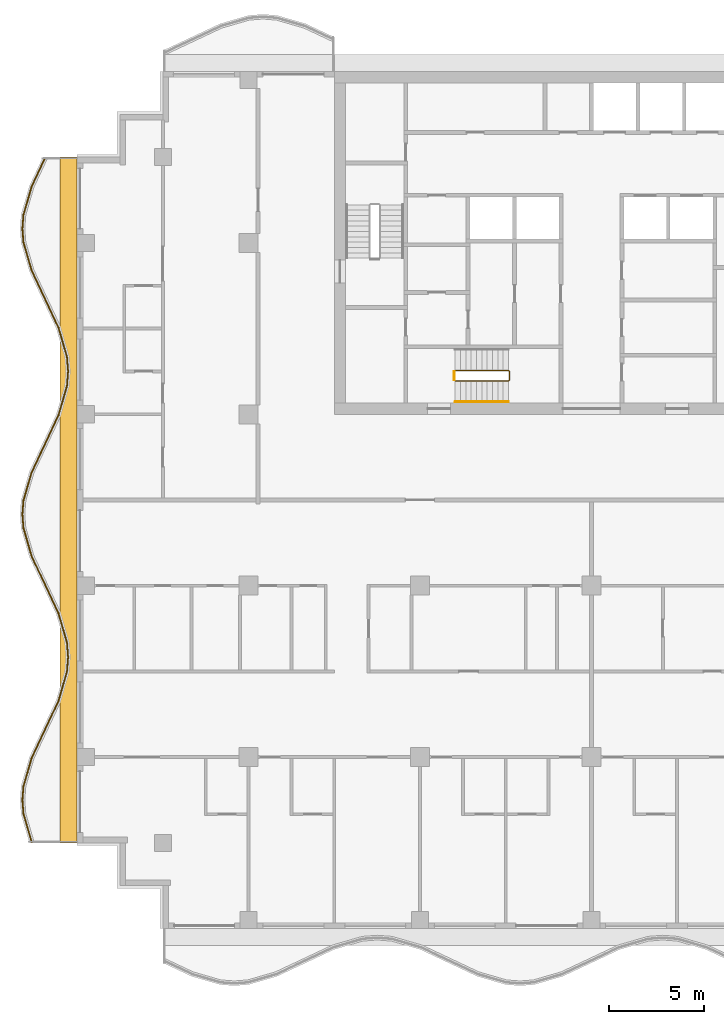
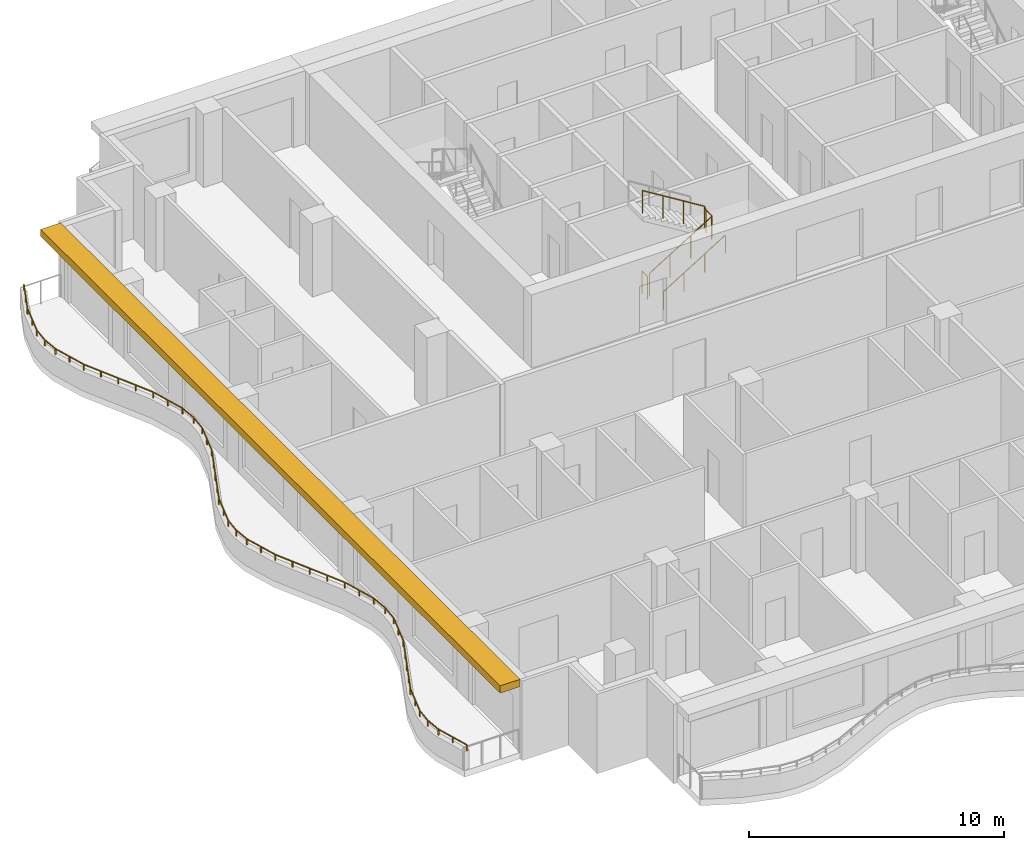
# One storey, part 9 of 11: 4 railings, 1 shading device.
"""IFC4 building model written with IfcOpenShell, lengths in metres."""

from ifc_helpers import new_model, si_unit, direction, frame, origin, origin_2d, place, context, subcontext, project, spatial, polyline, rectangle, circle, outline, extrude, material, layer, layer_set, type_object, element, save


model = new_model("IFC4")

# Units and contexts
model_context = context("Model", 3, precision=1e-05, world=origin(), true_north=direction((0.0, 1.0)))
body_context = subcontext(model_context, "Body", "Model", "MODEL_VIEW")
ifc_project = project(units=[si_unit("LENGTHUNIT", "METRE"), si_unit("AREAUNIT", "SQUARE_METRE"), si_unit("VOLUMEUNIT", "CUBIC_METRE"), si_unit("PLANEANGLEUNIT", "RADIAN"), si_unit("MASSUNIT", "GRAM", prefix="KILO")], contexts=[model_context])

# Site, building, storey
site_placement = place(None, origin())
site = spatial("IfcSite", under=ifc_project, at=site_placement, CompositionType="ELEMENT")
building_placement = place(site_placement, origin())
building = spatial("IfcBuilding", under=site, at=building_placement, Name="Orbiselva Terraces", CompositionType="ELEMENT")
storey_placement = place(building_placement, frame((0.0, 0.0, 242.6)))
storey = spatial("IfcBuildingStorey", under=building, at=storey_placement, Name="L61", CompositionType="ELEMENT", Elevation=242.6)

# Railings
ifc_material_1 = material(Name="Stainless steel", Category="steel")
railing_type_1 = type_object("IfcRailingType", Name="CORE-GUARD-1100", PredefinedType="GUARDRAIL", material=ifc_material_1)
railing_1_placement = place(storey_placement, frame((-7.15, 6.25, 0.172727)))
element("IfcRailing", 1, at=railing_1_placement, inside=storey, type_object=railing_type_1, Name="L61 S3 stair guard 1", PredefinedType="GUARDRAIL", context=body_context, shape_type="SweptSolid", body=[
    extrude(circle(Radius=0.024, at=origin_2d()), frame((0.0, 0.0, 1.081), z_axis=(0.851088519012, 0.0, 0.52502222125), x_axis=(0.0, 1.0, 0.0)), (0.0, 0.0, 1.0), 3.289905),
    extrude(circle(Radius=0.024, at=origin_2d()), frame((2.8, 0.0, 2.808273), z_axis=(0.707106781187, 0.707106781187, 0.0), x_axis=(-0.707106781187, 0.707106781187, 0.0)), (0.0, 0.0, 1.0), 0.070711),
    extrude(circle(Radius=0.024, at=origin_2d()), frame((2.85, 0.05, 2.808273), z_axis=(0.0, 1.0, 0.0), x_axis=(-1.0, 0.0, 0.0)), (0.0, 0.0, 1.0), 0.45),
    extrude(circle(Radius=0.024, at=origin_2d()), frame((2.85, 0.5, 2.808273), z_axis=(-0.267894925557, 0.267894925557, 0.925453736133), x_axis=(-0.707106781187, -0.707106781187, 0.0)), (0.0, 0.0, 1.0), 0.18664),
    extrude(circle(Radius=0.024, at=origin_2d()), frame((2.8, 0.55, 2.981), z_axis=(-0.851088519012, 0.0, 0.52502222125), x_axis=(0.0, -1.0, 0.0)), (0.0, 0.0, 1.0), 3.289905),
    extrude(circle(Radius=0.021, at=origin_2d()), origin(), (0.0, 0.0, 1.0), 1.057),
    extrude(circle(Radius=0.021, at=origin_2d()), frame((0.933333, 0.0, 0.575758)), (0.0, 0.0, 1.0), 1.057),
    extrude(circle(Radius=0.021, at=origin_2d()), frame((1.866667, 0.0, 1.151515)), (0.0, 0.0, 1.0), 1.057),
    extrude(circle(Radius=0.021, at=origin_2d()), frame((2.8, 0.0, 1.727273)), (0.0, 0.0, 1.0), 1.057),
    extrude(circle(Radius=0.021, at=origin_2d()), frame((2.85, 0.05, 1.727273)), (0.0, 0.0, 1.0), 1.057),
    extrude(circle(Radius=0.021, at=origin_2d()), frame((2.85, 0.5, 1.727273)), (0.0, 0.0, 1.0), 1.057),
    extrude(circle(Radius=0.021, at=origin_2d()), frame((2.8, 0.55, 1.9)), (0.0, 0.0, 1.0), 1.057),
    extrude(circle(Radius=0.021, at=origin_2d()), frame((1.866667, 0.55, 2.475758)), (0.0, 0.0, 1.0), 1.057),
    extrude(circle(Radius=0.021, at=origin_2d()), frame((0.933333, 0.55, 3.051515)), (0.0, 0.0, 1.0), 1.057),
    extrude(circle(Radius=0.021, at=origin_2d()), frame((0.0, 0.55, 3.627273)), (0.0, 0.0, 1.0), 1.057),
])
railing_2_placement = place(storey_placement, frame((-7.2, 6.3, 0.0)))
element("IfcRailing", 2, at=railing_2_placement, inside=storey, type_object=railing_type_1, Name="L61 S3 stair guard 2", PredefinedType="GUARDRAIL", context=body_context, shape_type="SweptSolid", body=[
    extrude(circle(Radius=0.024, at=origin_2d()), frame((0.0, 0.0, 1.081), z_axis=(0.0, 1.0, 0.0), x_axis=(-1.0, 0.0, 0.0)), (0.0, 0.0, 1.0), 0.45),
    extrude(circle(Radius=0.021, at=origin_2d()), origin(), (0.0, 0.0, 1.0), 1.057),
    extrude(circle(Radius=0.021, at=origin_2d()), frame((0.0, 0.45, 0.0)), (0.0, 0.0, 1.0), 1.057),
])
railing_type_2 = type_object("IfcRailingType", Name="CORE-HANDRAIL-900", PredefinedType="HANDRAIL", material=ifc_material_1)
railing_3_placement = place(storey_placement, frame((-7.15, 5.15, 0.172727)))
element("IfcRailing", 3, at=railing_3_placement, inside=storey, type_object=railing_type_2, Name="L61 S3 stair handrail 1", PredefinedType="HANDRAIL", context=body_context, shape_type="SweptSolid", body=[
    extrude(circle(Radius=0.024, at=origin_2d()), frame((0.0, 0.0, 0.876), z_axis=(0.851088519012, 0.0, 0.52502222125), x_axis=(0.0, 1.0, 0.0)), (0.0, 0.0, 1.0), 3.289905),
    extrude(circle(Radius=0.021, at=origin_2d()), origin(), (0.0, 0.0, 1.0), 0.852),
    extrude(circle(Radius=0.021, at=origin_2d()), frame((0.933333, 0.0, 0.575758)), (0.0, 0.0, 1.0), 0.852),
    extrude(circle(Radius=0.021, at=origin_2d()), frame((1.866667, 0.0, 1.151515)), (0.0, 0.0, 1.0), 0.852),
    extrude(circle(Radius=0.021, at=origin_2d()), frame((2.8, 0.0, 1.727273)), (0.0, 0.0, 1.0), 0.852),
])
ifc_material_2 = material(Name="Bonded two-ply safety glass balustrade, stainless steel posts", Category="steel")
railing_type_3 = type_object("IfcRailingType", Name="ENV-BALUSTRADE-1200", PredefinedType="BALUSTRADE", material=ifc_material_2)
railing_4_placement = place(storey_placement, frame((-28.686882, 17.946809, 0.9)))
element("IfcRailing", 4, at=railing_4_placement, inside=storey, type_object=railing_type_3, Name="Balcony balustrade L61 W", PredefinedType="BALUSTRADE", context=body_context, shape_type="SweptSolid", body=[
    extrude(outline(polyline([(0.028868, 0.0), (0.014434, 0.025), (-0.014434, 0.025), (-0.028868, 0.0), (-0.014434, -0.025), (0.014434, -0.025), (0.028868, 0.0)])), frame((0.0, 0.0, 0.275), z_axis=(-0.425529912322, -0.904944359461, 0.0), x_axis=(0.904944359461, -0.425529912322, 0.0)), (0.0, 0.0, 1.0), 1.647746),
    extrude(outline(polyline([(0.028868, 0.0), (0.014434, 0.025), (-0.014434, 0.025), (-0.028868, 0.0), (-0.014434, -0.025), (0.014434, -0.025), (0.028868, 0.0)])), frame((-0.701165, -1.491118, 0.275), z_axis=(-0.279071528957, -0.960270317007, 0.0), x_axis=(0.960270317007, -0.279071528957, 0.0)), (0.0, 0.0, 1.0), 1.539408),
    extrude(outline(polyline([(0.028868, 0.0), (0.014434, 0.025), (-0.014434, 0.025), (-0.028868, 0.0), (-0.014434, -0.025), (0.014434, -0.025), (0.028868, 0.0)])), frame((-1.13077, -2.969366, 0.275), z_axis=(-0.078069536776, -0.996947916106, 0.0), x_axis=(0.996947916106, -0.078069536776, 0.0)), (0.0, 0.0, 1.0), 0.72967),
    extrude(outline(polyline([(0.028868, 0.0), (0.014434, 0.025), (-0.014434, 0.025), (-0.028868, 0.0), (-0.014434, -0.025), (0.014434, -0.025), (0.028868, 0.0)])), frame((-1.187735, -3.696809, 0.275), z_axis=(0.078069536776, -0.996947916106, 0.0), x_axis=(0.996947916106, 0.078069536776, 0.0)), (0.0, 0.0, 1.0), 0.72967),
    extrude(outline(polyline([(0.028868, 0.0), (0.014434, 0.025), (-0.014434, 0.025), (-0.028868, 0.0), (-0.014434, -0.025), (0.014434, -0.025), (0.028868, 0.0)])), frame((-1.13077, -4.424252, 0.275), z_axis=(0.279071528957, -0.960270317007, 0.0), x_axis=(0.960270317007, 0.279071528957, 0.0)), (0.0, 0.0, 1.0), 1.539408),
    extrude(outline(polyline([(0.028868, 0.0), (0.014434, 0.025), (-0.014434, 0.025), (-0.028868, 0.0), (-0.014434, -0.025), (0.014434, -0.025), (0.028868, 0.0)])), frame((-0.701165, -5.9025, 0.275), z_axis=(0.425529912322, -0.904944359461, 0.0), x_axis=(0.904944359461, 0.425529912322, 0.0)), (0.0, 0.0, 1.0), 1.647746),
    extrude(outline(polyline([(0.028868, 0.0), (0.014434, 0.025), (-0.014434, 0.025), (-0.028868, 0.0), (-0.014434, -0.025), (0.014434, -0.025), (0.028868, 0.0)])), frame((0.0, -7.393618, 0.275), z_axis=(0.425530342069, -0.904944157382, 0.0), x_axis=(0.904944157382, 0.425530342069, 0.0)), (0.0, 0.0, 1.0), 1.667376),
    extrude(outline(polyline([(0.028868, 0.0), (0.014434, 0.025), (-0.014434, 0.025), (-0.028868, 0.0), (-0.014434, -0.025), (0.014434, -0.025), (0.028868, 0.0)])), frame((0.709519, -8.9025, 0.275), z_axis=(0.279070928786, -0.960270491427, 0.0), x_axis=(0.960270491427, 0.279070928786, 0.0)), (0.0, 0.0, 1.0), 1.584712),
    extrude(outline(polyline([(0.028868, 0.0), (0.014434, 0.025), (-0.014434, 0.025), (-0.028868, 0.0), (-0.014434, -0.025), (0.014434, -0.025), (0.028868, 0.0)])), frame((1.151766, -10.424252, 0.275), z_axis=(0.078071061106, -0.996947796737, 0.0), x_axis=(0.996947796737, 0.078071061106, 0.0)), (0.0, 0.0, 1.0), 0.774922),
    extrude(outline(polyline([(0.028868, 0.0), (0.014434, 0.025), (-0.014434, 0.025), (-0.028868, 0.0), (-0.014434, -0.025), (0.014434, -0.025), (0.028868, 0.0)])), frame((1.212265, -11.196809, 0.275), z_axis=(-0.078071061106, -0.996947796737, 0.0), x_axis=(0.996947796737, -0.078071061106, 0.0)), (0.0, 0.0, 1.0), 0.774922),
    extrude(outline(polyline([(0.028868, 0.0), (0.014434, 0.025), (-0.014434, 0.025), (-0.028868, 0.0), (-0.014434, -0.025), (0.014434, -0.025), (0.028868, 0.0)])), frame((1.151766, -11.969366, 0.275), z_axis=(-0.279070928786, -0.960270491427, 0.0), x_axis=(0.960270491427, -0.279070928786, 0.0)), (0.0, 0.0, 1.0), 1.584712),
    extrude(outline(polyline([(0.028868, 0.0), (0.014434, 0.025), (-0.014434, 0.025), (-0.028868, 0.0), (-0.014434, -0.025), (0.014434, -0.025), (0.028868, 0.0)])), frame((0.709519, -13.491118, 0.275), z_axis=(-0.425530342069, -0.904944157382, 0.0), x_axis=(0.904944157382, -0.425530342069, 0.0)), (0.0, 0.0, 1.0), 1.667376),
    extrude(outline(polyline([(0.028868, 0.0), (0.014434, 0.025), (-0.014434, 0.025), (-0.028868, 0.0), (-0.014434, -0.025), (0.014434, -0.025), (0.028868, 0.0)])), frame((0.0, -15.0, 0.275), z_axis=(-0.425529912322, -0.904944359461, 0.0), x_axis=(0.904944359461, -0.425529912322, 0.0)), (0.0, 0.0, 1.0), 1.647746),
    extrude(outline(polyline([(0.028868, 0.0), (0.014434, 0.025), (-0.014434, 0.025), (-0.028868, 0.0), (-0.014434, -0.025), (0.014434, -0.025), (0.028868, 0.0)])), frame((-0.701165, -16.491118, 0.275), z_axis=(-0.279071528957, -0.960270317007, 0.0), x_axis=(0.960270317007, -0.279071528957, 0.0)), (0.0, 0.0, 1.0), 1.539408),
    extrude(outline(polyline([(0.028868, 0.0), (0.014434, 0.025), (-0.014434, 0.025), (-0.028868, 0.0), (-0.014434, -0.025), (0.014434, -0.025), (0.028868, 0.0)])), frame((-1.13077, -17.969366, 0.275), z_axis=(-0.078069536776, -0.996947916106, 0.0), x_axis=(0.996947916106, -0.078069536776, 0.0)), (0.0, 0.0, 1.0), 0.72967),
    extrude(outline(polyline([(0.028868, 0.0), (0.014434, 0.025), (-0.014434, 0.025), (-0.028868, 0.0), (-0.014434, -0.025), (0.014434, -0.025), (0.028868, 0.0)])), frame((-1.187735, -18.696809, 0.275), z_axis=(0.078069536776, -0.996947916106, 0.0), x_axis=(0.996947916106, 0.078069536776, 0.0)), (0.0, 0.0, 1.0), 0.72967),
    extrude(outline(polyline([(0.028868, 0.0), (0.014434, 0.025), (-0.014434, 0.025), (-0.028868, 0.0), (-0.014434, -0.025), (0.014434, -0.025), (0.028868, 0.0)])), frame((-1.13077, -19.424252, 0.275), z_axis=(0.279071528957, -0.960270317007, 0.0), x_axis=(0.960270317007, 0.279071528957, 0.0)), (0.0, 0.0, 1.0), 1.539408),
    extrude(outline(polyline([(0.028868, 0.0), (0.014434, 0.025), (-0.014434, 0.025), (-0.028868, 0.0), (-0.014434, -0.025), (0.014434, -0.025), (0.028868, 0.0)])), frame((-0.701165, -20.9025, 0.275), z_axis=(0.425529912322, -0.904944359461, 0.0), x_axis=(0.904944359461, 0.425529912322, 0.0)), (0.0, 0.0, 1.0), 1.647746),
    extrude(outline(polyline([(0.028868, 0.0), (0.014434, 0.025), (-0.014434, 0.025), (-0.028868, 0.0), (-0.014434, -0.025), (0.014434, -0.025), (0.028868, 0.0)])), frame((0.0, -22.393618, 0.275), z_axis=(0.425530342069, -0.904944157382, 0.0), x_axis=(0.904944157382, 0.425530342069, 0.0)), (0.0, 0.0, 1.0), 1.667376),
    extrude(outline(polyline([(0.028868, 0.0), (0.014434, 0.025), (-0.014434, 0.025), (-0.028868, 0.0), (-0.014434, -0.025), (0.014434, -0.025), (0.028868, 0.0)])), frame((0.709519, -23.9025, 0.275), z_axis=(0.279070928786, -0.960270491427, 0.0), x_axis=(0.960270491427, 0.279070928786, 0.0)), (0.0, 0.0, 1.0), 1.584712),
    extrude(outline(polyline([(0.028868, 0.0), (0.014434, 0.025), (-0.014434, 0.025), (-0.028868, 0.0), (-0.014434, -0.025), (0.014434, -0.025), (0.028868, 0.0)])), frame((1.151766, -25.424252, 0.275), z_axis=(0.078071061106, -0.996947796737, 0.0), x_axis=(0.996947796737, 0.078071061106, 0.0)), (0.0, 0.0, 1.0), 0.774922),
    extrude(outline(polyline([(0.028868, 0.0), (0.014434, 0.025), (-0.014434, 0.025), (-0.028868, 0.0), (-0.014434, -0.025), (0.014434, -0.025), (0.028868, 0.0)])), frame((1.212265, -26.196809, 0.275), z_axis=(-0.078071061106, -0.996947796737, 0.0), x_axis=(0.996947796737, -0.078071061106, 0.0)), (0.0, 0.0, 1.0), 0.774922),
    extrude(outline(polyline([(0.028868, 0.0), (0.014434, 0.025), (-0.014434, 0.025), (-0.028868, 0.0), (-0.014434, -0.025), (0.014434, -0.025), (0.028868, 0.0)])), frame((1.151766, -26.969366, 0.275), z_axis=(-0.279070928786, -0.960270491427, 0.0), x_axis=(0.960270491427, -0.279070928786, 0.0)), (0.0, 0.0, 1.0), 1.584712),
    extrude(outline(polyline([(0.028868, 0.0), (0.014434, 0.025), (-0.014434, 0.025), (-0.028868, 0.0), (-0.014434, -0.025), (0.014434, -0.025), (0.028868, 0.0)])), frame((0.709519, -28.491118, 0.275), z_axis=(-0.425530342069, -0.904944157382, 0.0), x_axis=(0.904944157382, -0.425530342069, 0.0)), (0.0, 0.0, 1.0), 1.667376),
    extrude(outline(polyline([(0.028868, 0.0), (0.014434, 0.025), (-0.014434, 0.025), (-0.028868, 0.0), (-0.014434, -0.025), (0.014434, -0.025), (0.028868, 0.0)])), frame((0.0, -30.0, 0.275), z_axis=(-0.425529912322, -0.904944359461, 0.0), x_axis=(0.904944359461, -0.425529912322, 0.0)), (0.0, 0.0, 1.0), 1.647746),
    extrude(outline(polyline([(0.028868, 0.0), (0.014434, 0.025), (-0.014434, 0.025), (-0.028868, 0.0), (-0.014434, -0.025), (0.014434, -0.025), (0.028868, 0.0)])), frame((-0.701165, -31.491118, 0.275), z_axis=(-0.279071528957, -0.960270317007, 0.0), x_axis=(0.960270317007, -0.279071528957, 0.0)), (0.0, 0.0, 1.0), 1.539408),
    extrude(outline(polyline([(0.028868, 0.0), (0.014434, 0.025), (-0.014434, 0.025), (-0.028868, 0.0), (-0.014434, -0.025), (0.014434, -0.025), (0.028868, 0.0)])), frame((-1.13077, -32.969366, 0.275), z_axis=(-0.078069536776, -0.996947916106, 0.0), x_axis=(0.996947916106, -0.078069536776, 0.0)), (0.0, 0.0, 1.0), 0.72967),
    extrude(outline(polyline([(0.028868, 0.0), (0.014434, 0.025), (-0.014434, 0.025), (-0.028868, 0.0), (-0.014434, -0.025), (0.014434, -0.025), (0.028868, 0.0)])), frame((-1.187735, -33.696809, 0.275), z_axis=(0.078069536776, -0.996947916106, 0.0), x_axis=(0.996947916106, 0.078069536776, 0.0)), (0.0, 0.0, 1.0), 0.72967),
    extrude(outline(polyline([(0.028868, 0.0), (0.014434, 0.025), (-0.014434, 0.025), (-0.028868, 0.0), (-0.014434, -0.025), (0.014434, -0.025), (0.028868, 0.0)])), frame((-1.13077, -34.424252, 0.275), z_axis=(0.279071486336, -0.960270329394, 0.0), x_axis=(0.960270329394, 0.279071486336, 0.0)), (0.0, 0.0, 1.0), 1.549223),
    extrude(rectangle(XDim=0.05, YDim=0.05, at=origin_2d()), origin(), (0.0, 0.0, 1.0), 0.25),
    extrude(rectangle(XDim=0.05, YDim=0.05, at=origin_2d()), frame((-0.350582, -0.745559, 0.0)), (0.0, 0.0, 1.0), 0.25),
    extrude(rectangle(XDim=0.05, YDim=0.05, at=origin_2d()), frame((-0.701165, -1.491118, 0.0)), (0.0, 0.0, 1.0), 0.25),
    extrude(rectangle(XDim=0.05, YDim=0.05, at=origin_2d()), frame((-0.915967, -2.230242, 0.0)), (0.0, 0.0, 1.0), 0.25),
    extrude(rectangle(XDim=0.05, YDim=0.05, at=origin_2d()), frame((-1.13077, -2.969366, 0.0)), (0.0, 0.0, 1.0), 0.25),
    extrude(rectangle(XDim=0.05, YDim=0.05, at=origin_2d()), frame((-1.187735, -3.696809, 0.0)), (0.0, 0.0, 1.0), 0.25),
    extrude(rectangle(XDim=0.05, YDim=0.05, at=origin_2d()), frame((-1.13077, -4.424252, 0.0)), (0.0, 0.0, 1.0), 0.25),
    extrude(rectangle(XDim=0.05, YDim=0.05, at=origin_2d()), frame((-0.915967, -5.163376, 0.0)), (0.0, 0.0, 1.0), 0.25),
    extrude(rectangle(XDim=0.05, YDim=0.05, at=origin_2d()), frame((-0.701165, -5.9025, 0.0)), (0.0, 0.0, 1.0), 0.25),
    extrude(rectangle(XDim=0.05, YDim=0.05, at=origin_2d()), frame((-0.350582, -6.648059, 0.0)), (0.0, 0.0, 1.0), 0.25),
    extrude(rectangle(XDim=0.05, YDim=0.05, at=origin_2d()), frame((0.0, -7.393618, 0.0)), (0.0, 0.0, 1.0), 0.25),
    extrude(rectangle(XDim=0.05, YDim=0.05, at=origin_2d()), frame((0.35476, -8.148059, 0.0)), (0.0, 0.0, 1.0), 0.25),
    extrude(rectangle(XDim=0.05, YDim=0.05, at=origin_2d()), frame((0.709519, -8.9025, 0.0)), (0.0, 0.0, 1.0), 0.25),
    extrude(rectangle(XDim=0.05, YDim=0.05, at=origin_2d()), frame((0.930643, -9.663376, 0.0)), (0.0, 0.0, 1.0), 0.25),
    extrude(rectangle(XDim=0.05, YDim=0.05, at=origin_2d()), frame((1.151766, -10.424252, 0.0)), (0.0, 0.0, 1.0), 0.25),
    extrude(rectangle(XDim=0.05, YDim=0.05, at=origin_2d()), frame((1.212265, -11.196809, 0.0)), (0.0, 0.0, 1.0), 0.25),
    extrude(rectangle(XDim=0.05, YDim=0.05, at=origin_2d()), frame((1.151766, -11.969366, 0.0)), (0.0, 0.0, 1.0), 0.25),
    extrude(rectangle(XDim=0.05, YDim=0.05, at=origin_2d()), frame((0.930643, -12.730242, 0.0)), (0.0, 0.0, 1.0), 0.25),
    extrude(rectangle(XDim=0.05, YDim=0.05, at=origin_2d()), frame((0.709519, -13.491118, 0.0)), (0.0, 0.0, 1.0), 0.25),
    extrude(rectangle(XDim=0.05, YDim=0.05, at=origin_2d()), frame((0.35476, -14.245559, 0.0)), (0.0, 0.0, 1.0), 0.25),
    extrude(rectangle(XDim=0.05, YDim=0.05, at=origin_2d()), frame((0.0, -15.0, 0.0)), (0.0, 0.0, 1.0), 0.25),
    extrude(rectangle(XDim=0.05, YDim=0.05, at=origin_2d()), frame((-0.350582, -15.745559, 0.0)), (0.0, 0.0, 1.0), 0.25),
    extrude(rectangle(XDim=0.05, YDim=0.05, at=origin_2d()), frame((-0.701165, -16.491118, 0.0)), (0.0, 0.0, 1.0), 0.25),
    extrude(rectangle(XDim=0.05, YDim=0.05, at=origin_2d()), frame((-0.915967, -17.230242, 0.0)), (0.0, 0.0, 1.0), 0.25),
    extrude(rectangle(XDim=0.05, YDim=0.05, at=origin_2d()), frame((-1.13077, -17.969366, 0.0)), (0.0, 0.0, 1.0), 0.25),
    extrude(rectangle(XDim=0.05, YDim=0.05, at=origin_2d()), frame((-1.187735, -18.696809, 0.0)), (0.0, 0.0, 1.0), 0.25),
    extrude(rectangle(XDim=0.05, YDim=0.05, at=origin_2d()), frame((-1.13077, -19.424252, 0.0)), (0.0, 0.0, 1.0), 0.25),
    extrude(rectangle(XDim=0.05, YDim=0.05, at=origin_2d()), frame((-0.915967, -20.163376, 0.0)), (0.0, 0.0, 1.0), 0.25),
    extrude(rectangle(XDim=0.05, YDim=0.05, at=origin_2d()), frame((-0.701165, -20.9025, 0.0)), (0.0, 0.0, 1.0), 0.25),
    extrude(rectangle(XDim=0.05, YDim=0.05, at=origin_2d()), frame((-0.350582, -21.648059, 0.0)), (0.0, 0.0, 1.0), 0.25),
    extrude(rectangle(XDim=0.05, YDim=0.05, at=origin_2d()), frame((0.0, -22.393618, 0.0)), (0.0, 0.0, 1.0), 0.25),
    extrude(rectangle(XDim=0.05, YDim=0.05, at=origin_2d()), frame((0.35476, -23.148059, 0.0)), (0.0, 0.0, 1.0), 0.25),
    extrude(rectangle(XDim=0.05, YDim=0.05, at=origin_2d()), frame((0.709519, -23.9025, 0.0)), (0.0, 0.0, 1.0), 0.25),
    extrude(rectangle(XDim=0.05, YDim=0.05, at=origin_2d()), frame((0.930643, -24.663376, 0.0)), (0.0, 0.0, 1.0), 0.25),
    extrude(rectangle(XDim=0.05, YDim=0.05, at=origin_2d()), frame((1.151766, -25.424252, 0.0)), (0.0, 0.0, 1.0), 0.25),
    extrude(rectangle(XDim=0.05, YDim=0.05, at=origin_2d()), frame((1.212265, -26.196809, 0.0)), (0.0, 0.0, 1.0), 0.25),
    extrude(rectangle(XDim=0.05, YDim=0.05, at=origin_2d()), frame((1.151766, -26.969366, 0.0)), (0.0, 0.0, 1.0), 0.25),
    extrude(rectangle(XDim=0.05, YDim=0.05, at=origin_2d()), frame((0.930643, -27.730242, 0.0)), (0.0, 0.0, 1.0), 0.25),
    extrude(rectangle(XDim=0.05, YDim=0.05, at=origin_2d()), frame((0.709519, -28.491118, 0.0)), (0.0, 0.0, 1.0), 0.25),
    extrude(rectangle(XDim=0.05, YDim=0.05, at=origin_2d()), frame((0.35476, -29.245559, 0.0)), (0.0, 0.0, 1.0), 0.25),
    extrude(rectangle(XDim=0.05, YDim=0.05, at=origin_2d()), frame((0.0, -30.0, 0.0)), (0.0, 0.0, 1.0), 0.25),
    extrude(rectangle(XDim=0.05, YDim=0.05, at=origin_2d()), frame((-0.350582, -30.745559, 0.0)), (0.0, 0.0, 1.0), 0.25),
    extrude(rectangle(XDim=0.05, YDim=0.05, at=origin_2d()), frame((-0.701165, -31.491118, 0.0)), (0.0, 0.0, 1.0), 0.25),
    extrude(rectangle(XDim=0.05, YDim=0.05, at=origin_2d()), frame((-0.915967, -32.230242, 0.0)), (0.0, 0.0, 1.0), 0.25),
    extrude(rectangle(XDim=0.05, YDim=0.05, at=origin_2d()), frame((-1.13077, -32.969366, 0.0)), (0.0, 0.0, 1.0), 0.25),
    extrude(rectangle(XDim=0.05, YDim=0.05, at=origin_2d()), frame((-1.187735, -33.696809, 0.0)), (0.0, 0.0, 1.0), 0.25),
    extrude(rectangle(XDim=0.05, YDim=0.05, at=origin_2d()), frame((-1.13077, -34.424252, 0.0)), (0.0, 0.0, 1.0), 0.25),
    extrude(rectangle(XDim=0.05, YDim=0.05, at=origin_2d()), frame((-0.914598, -35.168088, 0.0)), (0.0, 0.0, 1.0), 0.25),
    extrude(rectangle(XDim=0.05, YDim=0.05, at=origin_2d()), frame((-0.698426, -35.911925, 0.0)), (0.0, 0.0, 1.0), 0.25),
])

# Shading device
ifc_material_3 = material(Name="Terracotta baguette sunshade", Category="masonry")
ifc_layer = layer(ifc_material_3, 0.35)
ifc_layer_set = layer_set([ifc_layer], Name="Terracotta baguette sunshade")
shading_device_type = type_object("IfcShadingDeviceType", Name="ENV-SUNSHADE-900x350", PredefinedType="USERDEFINED", material=ifc_layer_set)
shading_device_placement = place(storey_placement, frame((0.0, 0.0, 3.15)))
element("IfcShadingDevice", 5, at=shading_device_placement, inside=storey, type_object=shading_device_type, Name="Sunshade band L61 W", ObjectType="SUNSHADE", PredefinedType="USERDEFINED", context=body_context, shape_type="SweptSolid", body=[
    extrude(outline(polyline([(-27.9, 18.0), (-27.9, -18.0), (-27.0, -18.0), (-27.0, 18.0), (-27.9, 18.0)])), origin(), (0.0, 0.0, 1.0), 0.35),
])

save(model, "model.ifc")
